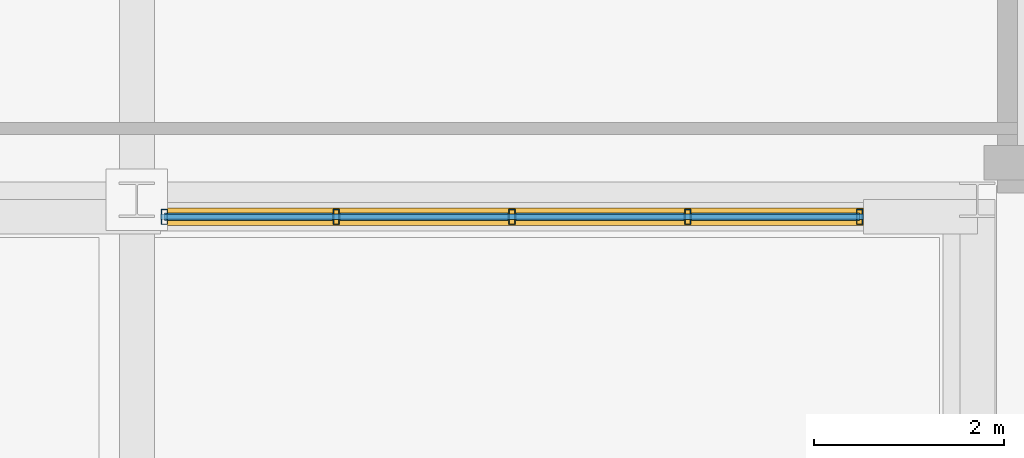
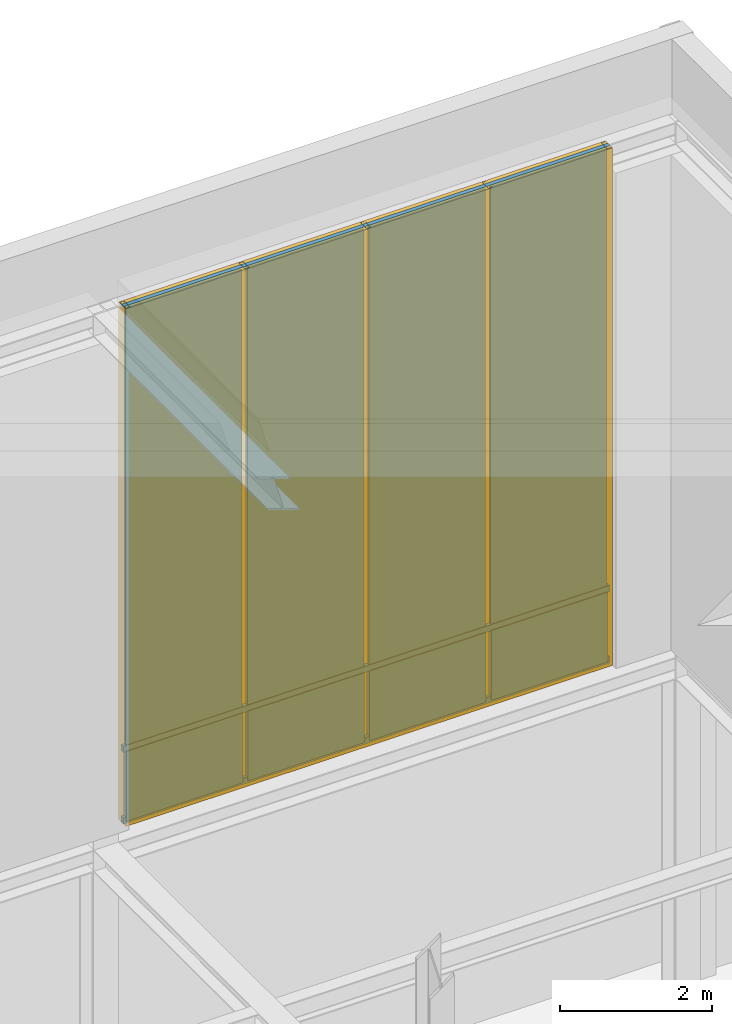
# One storey, part 15 of 17: 8 members, 8 plates, 1 curtain wall.
"""IFC4 building model written with IfcOpenShell, lengths in metres."""

from ifc_helpers import new_model, si_unit, direction, frame, frame_2d, origin, origin_2d, place, context, subcontext, project, spatial, rectangle, hollow_rectangle, extrude, material, layer, layer_set, material_profile, profile_set, type_object, element, aggregate, save


model = new_model("IFC4")

# Units and contexts
model_context = context("Model", 3, precision=1e-05, world=origin(), true_north=direction((0.0, 1.0)))
body_context = subcontext(model_context, "Body", "Model", "MODEL_VIEW")
ifc_project = project(units=[si_unit("LENGTHUNIT", "METRE"), si_unit("AREAUNIT", "SQUARE_METRE"), si_unit("VOLUMEUNIT", "CUBIC_METRE"), si_unit("PLANEANGLEUNIT", "RADIAN"), si_unit("MASSUNIT", "GRAM", prefix="KILO")], contexts=[model_context])

# Member
ifc_material_1 = material(Name="Anodized Aluminium 6063-T6", Category="aluminium")
ifc_material_profile_1 = material_profile(ifc_material_1, hollow_rectangle(XDim=0.06494140625, YDim=0.159912109375, WallThickness=0.00390625, at=origin_2d()), Name="Anodized Aluminium 6063-T6")
ifc_profile_set_1 = profile_set([ifc_material_profile_1], Name="Anodized Aluminium 6063-T6")
member_type_1 = type_object("IfcMemberType", Name="Curtain Wall Mullion 160", PredefinedType="MULLION", material=ifc_profile_set_1)
site_placement = place(None, origin())
building_placement = place(site_placement, origin())
storey_placement = place(building_placement, frame((0.0, 0.0, 308.0)))
member_1_placement = place(storey_placement, frame((36.409912109375, 37.469970703125, 5.800048828125), z_axis=(0.0, 0.0, 1.0), x_axis=(-1.0, 0.0, 0.0)))
member_1 = element("IfcMember", 1, at=member_1_placement, type_object=member_type_1, Name="Curtain Wall Mullion CW-L78-LANT-N-M01", PredefinedType="MULLION", context=body_context, shape_type="SweptSolid", body=[
    extrude(hollow_rectangle(XDim=0.06494140625, YDim=0.159912109375, WallThickness=0.00390625, at=origin_2d()), origin(), (0.0, 0.0, 1.0), 8.320068359375),
])

member_2_placement = place(storey_placement, frame((34.60009765625, 37.469970703125, 5.800048828125), z_axis=(0.0, 0.0, 1.0), x_axis=(-1.0, 0.0, 0.0)))
member_2 = element("IfcMember", 2, at=member_2_placement, type_object=member_type_1, Name="Curtain Wall Mullion CW-L78-LANT-N-M02", PredefinedType="MULLION", context=body_context, shape_type="SweptSolid", body=[
    extrude(hollow_rectangle(XDim=0.06494140625, YDim=0.159912109375, WallThickness=0.00390625, at=origin_2d()), origin(), (0.0, 0.0, 1.0), 8.320068359375),
])

member_3_placement = place(storey_placement, frame((32.75, 37.469970703125, 5.800048828125), z_axis=(0.0, 0.0, 1.0), x_axis=(-1.0, 0.0, 0.0)))
member_3 = element("IfcMember", 3, at=member_3_placement, type_object=member_type_1, Name="Curtain Wall Mullion CW-L78-LANT-N-M03", PredefinedType="MULLION", context=body_context, shape_type="SweptSolid", body=[
    extrude(hollow_rectangle(XDim=0.06494140625, YDim=0.159912109375, WallThickness=0.00390625, at=origin_2d()), origin(), (0.0, 0.0, 1.0), 8.320068359375),
])

member_4_placement = place(storey_placement, frame((30.89990234375, 37.469970703125, 5.800048828125), z_axis=(0.0, 0.0, 1.0), x_axis=(-1.0, 0.0, 0.0)))
member_4 = element("IfcMember", 4, at=member_4_placement, type_object=member_type_1, Name="Curtain Wall Mullion CW-L78-LANT-N-M04", PredefinedType="MULLION", context=body_context, shape_type="SweptSolid", body=[
    extrude(hollow_rectangle(XDim=0.06494140625, YDim=0.159912109375, WallThickness=0.00390625, at=origin_2d()), origin(), (0.0, 0.0, 1.0), 8.320068359375),
])

member_5_placement = place(storey_placement, frame((29.090087890625, 37.469970703125, 5.800048828125), z_axis=(0.0, 0.0, 1.0), x_axis=(-1.0, 0.0, 0.0)))
member_5 = element("IfcMember", 5, at=member_5_placement, type_object=member_type_1, Name="Curtain Wall Mullion CW-L78-LANT-N-M05", PredefinedType="MULLION", context=body_context, shape_type="SweptSolid", body=[
    extrude(hollow_rectangle(XDim=0.06494140625, YDim=0.159912109375, WallThickness=0.00390625, at=origin_2d()), origin(), (0.0, 0.0, 1.0), 8.320068359375),
])

ifc_material_profile_2 = material_profile(ifc_material_1, hollow_rectangle(XDim=0.06005859375, YDim=0.10009765625, WallThickness=0.0029296875, at=origin_2d()), Name="Anodized Aluminium 6063-T6")
ifc_profile_set_2 = profile_set([ifc_material_profile_2], Name="Anodized Aluminium 6063-T6")
member_type_2 = type_object("IfcMemberType", Name="Curtain Wall Transom 100", PredefinedType="USERDEFINED", material=ifc_profile_set_2)
member_6_placement = place(storey_placement, frame((36.449951171875, 37.469970703125, 5.85009765625), z_axis=(-1.0, 0.0, 0.0), x_axis=(0.0, -1.0, 0.0)))
member_6 = element("IfcMember", 6, at=member_6_placement, type_object=member_type_2, Name="Curtain Wall Transom CW-L78-LANT-N-T01", ObjectType="TRANSOM", PredefinedType="USERDEFINED", context=body_context, shape_type="SweptSolid", body=[
    extrude(hollow_rectangle(XDim=0.06005859375, YDim=0.10009765625, WallThickness=0.0029296875, at=origin_2d()), origin(), (0.0, 0.0, 1.0), 7.39990234375),
])

member_7_placement = place(storey_placement, frame((36.449951171875, 37.469970703125, 7.0), z_axis=(-1.0, 0.0, 0.0), x_axis=(0.0, -1.0, 0.0)))
member_7 = element("IfcMember", 7, at=member_7_placement, type_object=member_type_2, Name="Curtain Wall Transom CW-L78-LANT-N-T02", ObjectType="TRANSOM", PredefinedType="USERDEFINED", context=body_context, shape_type="SweptSolid", body=[
    extrude(hollow_rectangle(XDim=0.06005859375, YDim=0.10009765625, WallThickness=0.0029296875, at=origin_2d()), origin(), (0.0, 0.0, 1.0), 7.39990234375),
])

member_8_placement = place(storey_placement, frame((36.449951171875, 37.469970703125, 14.070068359375), z_axis=(-1.0, 0.0, 0.0), x_axis=(0.0, -1.0, 0.0)))
member_8 = element("IfcMember", 8, at=member_8_placement, type_object=member_type_2, Name="Curtain Wall Transom CW-L78-LANT-N-T03", ObjectType="TRANSOM", PredefinedType="USERDEFINED", context=body_context, shape_type="SweptSolid", body=[
    extrude(hollow_rectangle(XDim=0.06005859375, YDim=0.10009765625, WallThickness=0.0029296875, at=origin_2d()), origin(), (0.0, 0.0, 1.0), 7.39990234375),
])

# Plate
ifc_material_2 = material(Name="Triple Low-E Argon Glazing", Category="glass")
ifc_layer_1 = layer(ifc_material_2, 0.0439453125, Name="Triple Low-E Argon Glazing")
ifc_layer_set_1 = layer_set([ifc_layer_1], Name="Triple Low-E Argon Glazing")
plate_type_1 = type_object("IfcPlateType", Name="Plate CWGlazing 44", PredefinedType="CURTAIN_PANEL", material=ifc_layer_set_1)
plate_1_placement = place(storey_placement, frame((35.52490234375, 37.469970703125, 7.0400390625), z_axis=(0.0, 0.0, 1.0), x_axis=(-1.0, 0.0, 0.0)))
plate_1 = element("IfcPlate", 9, at=plate_1_placement, type_object=plate_type_1, Name="Vision Glazing Panel CW-L78-LANT-N-GL01", PredefinedType="CURTAIN_PANEL", context=body_context, shape_type="SweptSolid", body=[
    extrude(rectangle(XDim=1.77001953125, YDim=0.0439453125, at=origin_2d()), origin(), (0.0, 0.0, 1.0), 7.0400390625),
])

plate_2_placement = place(storey_placement, frame((33.675048828125, 37.469970703125, 7.0400390625), z_axis=(0.0, 0.0, 1.0), x_axis=(-1.0, 0.0, 0.0)))
plate_2 = element("IfcPlate", 10, at=plate_2_placement, type_object=plate_type_1, Name="Vision Glazing Panel CW-L78-LANT-N-GL02", PredefinedType="CURTAIN_PANEL", context=body_context, shape_type="SweptSolid", body=[
    extrude(rectangle(XDim=1.77001953125, YDim=0.0439453125, at=origin_2d()), origin(), (0.0, 0.0, 1.0), 7.0400390625),
])

plate_3_placement = place(storey_placement, frame((31.824951171875, 37.469970703125, 7.0400390625), z_axis=(0.0, 0.0, 1.0), x_axis=(-1.0, 0.0, 0.0)))
plate_3 = element("IfcPlate", 11, at=plate_3_placement, type_object=plate_type_1, Name="Vision Glazing Panel CW-L78-LANT-N-GL03", PredefinedType="CURTAIN_PANEL", context=body_context, shape_type="SweptSolid", body=[
    extrude(rectangle(XDim=1.77001953125, YDim=0.0439453125, at=origin_2d()), origin(), (0.0, 0.0, 1.0), 7.0400390625),
])

plate_4_placement = place(storey_placement, frame((29.97509765625, 37.469970703125, 7.0400390625), z_axis=(0.0, 0.0, 1.0), x_axis=(-1.0, 0.0, 0.0)))
plate_4 = element("IfcPlate", 12, at=plate_4_placement, type_object=plate_type_1, Name="Vision Glazing Panel CW-L78-LANT-N-GL04", PredefinedType="CURTAIN_PANEL", context=body_context, shape_type="SweptSolid", body=[
    extrude(rectangle(XDim=1.77001953125, YDim=0.0439453125, at=origin_2d()), origin(), (0.0, 0.0, 1.0), 7.0400390625),
])

ifc_material_3 = material(Name="Insulated Aluminium Spandrel Panel", Category="aluminium")
ifc_layer_2 = layer(ifc_material_3, 0.080078125, Name="Insulated Aluminium Spandrel Panel")
ifc_layer_set_2 = layer_set([ifc_layer_2], Name="Insulated Aluminium Spandrel Panel")
plate_type_2 = type_object("IfcPlateType", Name="Plate CWSpandrel 80", PredefinedType="SHEET", material=ifc_layer_set_2)
plate_5_placement = place(storey_placement, frame((35.52490234375, 37.469970703125, 5.83984375), z_axis=(0.0, 0.0, 1.0), x_axis=(-1.0, 0.0, 0.0)))
plate_5 = element("IfcPlate", 13, at=plate_5_placement, type_object=plate_type_2, Name="Spandrel Panel CW-L78-LANT-N-SP01", PredefinedType="SHEET", context=body_context, shape_type="SweptSolid", body=[
    extrude(rectangle(XDim=1.77001953125, YDim=0.080078125, at=origin_2d()), origin(), (0.0, 0.0, 1.0), 1.1201171875),
])

plate_6_placement = place(storey_placement, frame((33.675048828125, 37.469970703125, 5.83984375), z_axis=(0.0, 0.0, 1.0), x_axis=(-1.0, 0.0, 0.0)))
plate_6 = element("IfcPlate", 14, at=plate_6_placement, type_object=plate_type_2, Name="Spandrel Panel CW-L78-LANT-N-SP02", PredefinedType="SHEET", context=body_context, shape_type="SweptSolid", body=[
    extrude(rectangle(XDim=1.77001953125, YDim=0.080078125, at=origin_2d()), origin(), (0.0, 0.0, 1.0), 1.1201171875),
])

plate_7_placement = place(storey_placement, frame((31.824951171875, 37.469970703125, 5.83984375), z_axis=(0.0, 0.0, 1.0), x_axis=(-1.0, 0.0, 0.0)))
plate_7 = element("IfcPlate", 15, at=plate_7_placement, type_object=plate_type_2, Name="Spandrel Panel CW-L78-LANT-N-SP03", PredefinedType="SHEET", context=body_context, shape_type="SweptSolid", body=[
    extrude(rectangle(XDim=1.77001953125, YDim=0.080078125, at=origin_2d()), origin(), (0.0, 0.0, 1.0), 1.1201171875),
])

plate_8_placement = place(storey_placement, frame((29.97509765625, 37.469970703125, 5.83984375), z_axis=(0.0, 0.0, 1.0), x_axis=(-1.0, 0.0, 0.0)))
plate_8 = element("IfcPlate", 16, at=plate_8_placement, type_object=plate_type_2, Name="Spandrel Panel CW-L78-LANT-N-SP04", PredefinedType="SHEET", context=body_context, shape_type="SweptSolid", body=[
    extrude(rectangle(XDim=1.77001953125, YDim=0.080078125, at=origin_2d()), origin(), (0.0, 0.0, 1.0), 1.1201171875),
])

# Site, building, storey
site = spatial("IfcSite", under=ifc_project, at=site_placement, CompositionType="ELEMENT")
building = spatial("IfcBuilding", under=site, at=building_placement, Name="Norrvale University Quadrangle", CompositionType="ELEMENT")
storey = spatial("IfcBuildingStorey", under=building, at=storey_placement, Name="L78", CompositionType="ELEMENT", Elevation=308.0)

# Curtain wall
ifc_material_4 = material(Name="Anodized Aluminium and Triple Glazing", Category="glass")
curtain_wall_type = type_object("IfcCurtainWallType", Name="Curtain Wall System 6 Pool Crown", PredefinedType="NOTDEFINED", material=ifc_material_4)
curtain_wall_placement = place(storey_placement, frame((36.449951171875, 37.469970703125, 5.800048828125), z_axis=(0.0, 0.0, 1.0), x_axis=(-1.0, 0.0, 0.0)))
curtain_wall = element("IfcCurtainWall", 17, at=curtain_wall_placement, inside=storey, type_object=curtain_wall_type, Name="Curtain Wall CW System 6 Pool Crown CW-L78-LANT-N", PredefinedType="NOTDEFINED", context=body_context, shape_type="SweptSolid", body=[
    extrude(rectangle(XDim=7.39990234375, YDim=0.18505859375, at=frame_2d((3.699951171875, 0.0))), origin(), (0.0, 0.0, 1.0), 8.320068359375),
])

aggregate(curtain_wall, [member_1, member_2, member_3, member_4, member_5, member_6, member_7, member_8, plate_5, plate_1, plate_6, plate_2, plate_7, plate_3, plate_8, plate_4])

save(model, "model.ifc")
